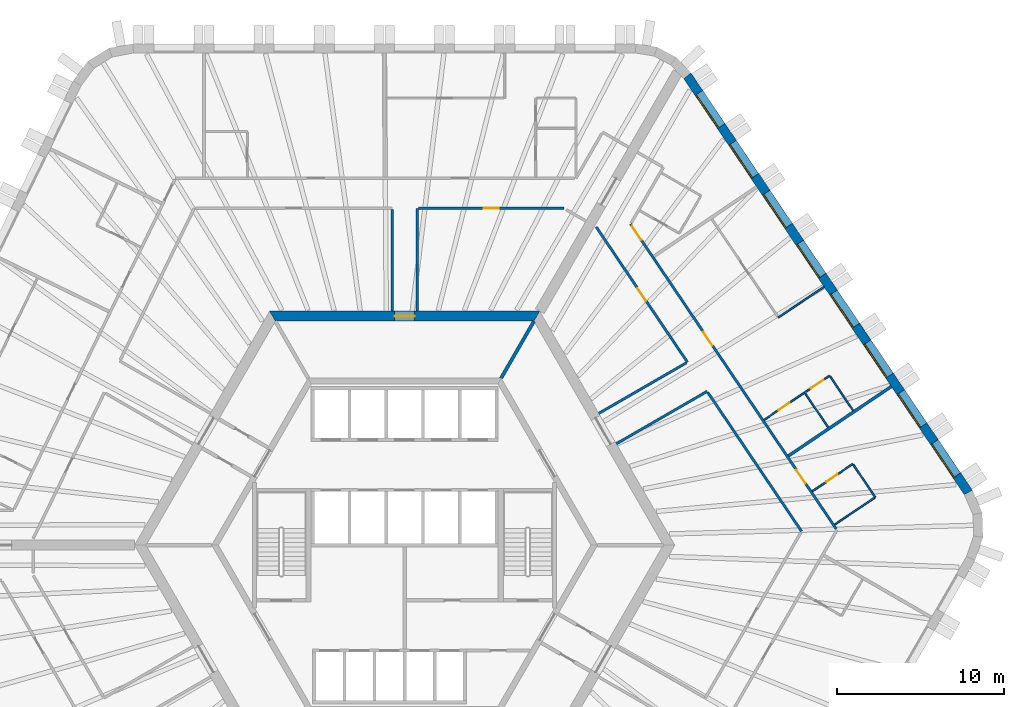
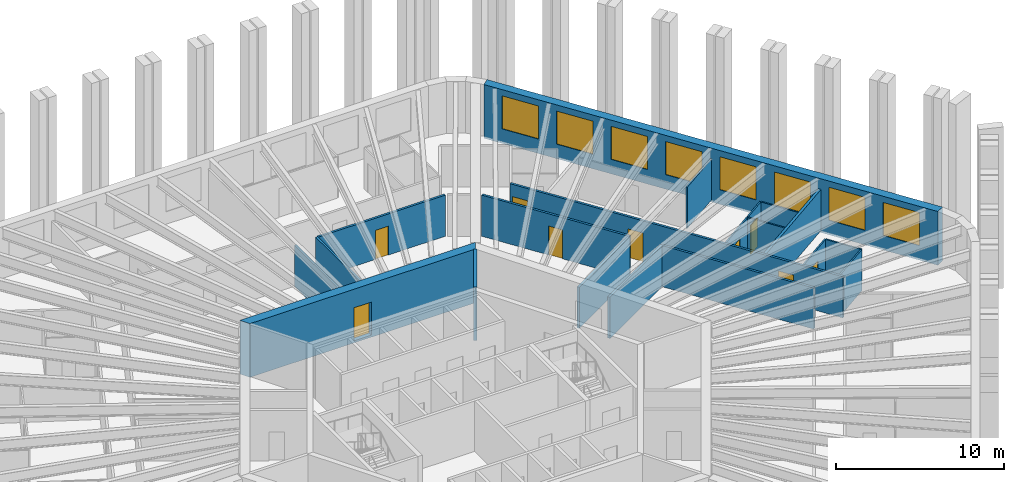
# One storey, part 9 of 13: 20 walls, 9 doors, 8 windows, 17 openings.
"""IFC4 building model written with IfcOpenShell, lengths in metres."""

from ifc_helpers import new_model, si_unit, direction, frame, frame_2d, origin, place, context, subcontext, project, spatial, polyline, rectangle, outline, extrude, material, layer, layer_set, type_object, element, fill, save


model = new_model("IFC4")

# Units and contexts
model_context = context("Model", 3, precision=1e-05, world=origin(), true_north=direction((0.0, 1.0)))
body_context = subcontext(model_context, "Body", "Model", "MODEL_VIEW")
ifc_project = project(units=[si_unit("LENGTHUNIT", "METRE"), si_unit("AREAUNIT", "SQUARE_METRE"), si_unit("VOLUMEUNIT", "CUBIC_METRE"), si_unit("PLANEANGLEUNIT", "RADIAN"), si_unit("MASSUNIT", "GRAM", prefix="KILO")], contexts=[model_context])

# Site, building, storey
site_placement = place(None, origin())
site = spatial("IfcSite", under=ifc_project, at=site_placement, CompositionType="ELEMENT")
building_placement = place(site_placement, origin())
building = spatial("IfcBuilding", under=site, at=building_placement, Name="Tarnside Tower", CompositionType="ELEMENT")
storey_placement = place(building_placement, frame((0.0, 0.0, 68.699951171875)))
storey = spatial("IfcBuildingStorey", under=building, at=storey_placement, Name="L14", CompositionType="ELEMENT", Elevation=68.699951171875)

# Wall, opening, door
ifc_material_1 = material(Name="Gypsum board partition on steel studs", Category="steel")
ifc_layer_1 = layer(ifc_material_1, 0.10009765625)
ifc_layer_set_1 = layer_set([ifc_layer_1], Name="Bathroom wall 100")
wall_type_1 = type_object("IfcWallType", Name="Bathroom wall 100", PredefinedType="PARTITIONING", material=ifc_layer_set_1)
wall_1_placement = place(storey_placement, frame((24.3916015625, 3.22509765625, 0.0), z_axis=(0.0, 0.0, 1.0), x_axis=(0.829033436212, 0.559199035802, 0.0)))
wall_1 = element("IfcWall", 1, at=wall_1_placement, inside=storey, type_object=wall_type_1, Name="Bathroom wall 04137", PredefinedType="PARTITIONING", context=body_context, shape_type="SweptSolid", body=[
    extrude(rectangle(XDim=2.925048828125, YDim=0.10009765625, at=frame_2d((1.46240234375, 0.0))), origin(), (0.0, 0.0, 1.0), 2.98779296875),
])
opening_1_placement = place(wall_1_placement, frame((1.02490234375, 0.0, 0.0)))
opening_1 = element("IfcOpeningElement", 2, at=opening_1_placement, cuts=wall_1, Name="Opening D-B1", PredefinedType="OPENING", context=body_context, shape_type="SweptSolid", body=[
    extrude(rectangle(XDim=0.800048828125, YDim=2.10009765625, at=frame_2d((0.39990234375, 1.050048828125))), frame((0.0, 0.06005859375, 0.0), z_axis=(0.0, -1.0, 0.0), x_axis=(1.0, 0.0, 0.0)), (0.0, 0.0, 1.0), 0.1201171875),
])
ifc_material_2 = material(Name="Timber door leaf", Category="wood")
door_type_1 = type_object("IfcDoorType", Name="Bathroom door 800", OperationType="NOTDEFINED", PredefinedType="DOOR", material=ifc_material_2)
door_1_placement = place(opening_1_placement, origin())
door_1 = element("IfcDoor", 3, at=door_1_placement, inside=storey, type_object=door_type_1, Name="Bathroom door 04034", OperationType="SINGLE_SWING_RIGHT", OverallHeight=2.10009765625, OverallWidth=0.800048828125, PredefinedType="DOOR", context=body_context, shape_type="SweptSolid", body=[
    extrude(rectangle(XDim=0.800048828125, YDim=2.10009765625, at=frame_2d((0.39990234375, 1.050048828125))), frame((0.0, 0.02490234375, 0.0), z_axis=(0.0, -1.0, 0.0), x_axis=(1.0, 0.0, 0.0)), (0.0, 0.0, 1.0), 0.050048828125),
])
fill(opening_1, door_1)

# Walls
wall_2_placement = place(storey_placement, frame((26.844482421875, 4.8193359375, 0.0), z_axis=(0.0, 0.0, 1.0), x_axis=(0.559223037199, -0.829017246302, 0.0)))
element("IfcWall", 4, at=wall_2_placement, inside=storey, type_object=wall_type_1, Name="Bathroom wall 04138", PredefinedType="PARTITIONING", context=body_context, shape_type="SweptSolid", body=[
    extrude(rectangle(XDim=2.35009765625, YDim=0.10009765625, at=frame_2d((1.175048828125, 0.0))), origin(), (0.0, 0.0, 1.0), 2.98779296875),
])
wall_3_placement = place(storey_placement, frame((28.1171875, 2.843017578125, 0.0), z_axis=(0.0, 0.0, 1.0), x_axis=(-0.82904649496, -0.559179675234, 0.0)))
element("IfcWall", 5, at=wall_3_placement, inside=storey, type_object=wall_type_1, Name="Bathroom wall 04139", PredefinedType="PARTITIONING", context=body_context, shape_type="SweptSolid", body=[
    extrude(rectangle(XDim=2.875, YDim=0.10009765625, at=frame_2d((1.4375, 0.0))), origin(), (0.0, 0.0, 1.0), 2.98779296875),
])

# Wall, opening, door
wall_4_placement = place(storey_placement, frame((21.509033203125, 7.49853515625, 0.0), z_axis=(0.0, 0.0, 1.0), x_axis=(0.829033436212, 0.559199035802, 0.0)))
wall_4 = element("IfcWall", 6, at=wall_4_placement, inside=storey, type_object=wall_type_1, Name="Bathroom wall 04143", PredefinedType="PARTITIONING", context=body_context, shape_type="SweptSolid", body=[
    extrude(rectangle(XDim=2.925048828125, YDim=0.10009765625, at=frame_2d((1.46240234375, 0.0))), origin(), (0.0, 0.0, 1.0), 2.98779296875),
])
opening_2_placement = place(wall_4_placement, frame((1.02490234375, 0.0, 0.0)))
opening_2 = element("IfcOpeningElement", 7, at=opening_2_placement, cuts=wall_4, Name="Opening D-B1", PredefinedType="OPENING", context=body_context, shape_type="SweptSolid", body=[
    extrude(rectangle(XDim=0.800048828125, YDim=2.10009765625, at=frame_2d((0.39990234375, 1.050048828125))), frame((0.0, 0.06005859375, 0.0), z_axis=(0.0, -1.0, 0.0), x_axis=(1.0, 0.0, 0.0)), (0.0, 0.0, 1.0), 0.1201171875),
])
door_2_placement = place(opening_2_placement, origin())
door_2 = element("IfcDoor", 8, at=door_2_placement, inside=storey, type_object=door_type_1, Name="Bathroom door 04036", OperationType="SINGLE_SWING_RIGHT", OverallHeight=2.10009765625, OverallWidth=0.800048828125, PredefinedType="DOOR", context=body_context, shape_type="SweptSolid", body=[
    extrude(rectangle(XDim=0.800048828125, YDim=2.10009765625, at=frame_2d((0.39990234375, 1.050048828125))), frame((0.0, 0.02490234375, 0.0), z_axis=(0.0, -1.0, 0.0), x_axis=(1.0, 0.0, 0.0)), (0.0, 0.0, 1.0), 0.050048828125),
])
fill(opening_2, door_2)

# Wall
wall_5_placement = place(storey_placement, frame((25.337646484375, 7.053466796875, 0.0), z_axis=(0.0, 0.0, 1.0), x_axis=(-0.559249542518, 0.82899936622, 0.0)))
element("IfcWall", 9, at=wall_5_placement, inside=storey, type_object=wall_type_1, Name="Bathroom wall 04149", PredefinedType="PARTITIONING", context=body_context, shape_type="SweptSolid", body=[
    extrude(rectangle(XDim=2.4599609375, YDim=0.10009765625, at=frame_2d((1.22998046875, 0.0))), origin(), (0.0, 0.0, 1.0), 2.98779296875),
])

# Wall, opening, door
ifc_material_3 = material(Name="Concrete C80/95", Category="concrete")
ifc_layer_2 = layer(ifc_material_3, 0.60009765625)
ifc_layer_set_2 = layer_set([ifc_layer_2], Name="Core wall Z1 600 C80/95")
wall_type_2 = type_object("IfcWallType", Name="Core wall Z1 600 C80/95", PredefinedType="SHEAR", material=ifc_layer_set_2)
wall_6_placement = place(storey_placement, frame((7.90966796875, 13.699951171875, -0.14990234375), z_axis=(0.0, 0.0, 1.0), x_axis=(-1.0, 0.0, 0.0)))
wall_6 = element("IfcWall", 10, at=wall_6_placement, inside=storey, type_object=wall_type_2, Name="L14 core wall face 1", PredefinedType="SHEAR", context=body_context, shape_type="SweptSolid", body=[
    extrude(outline(polyline([(-0.17333984375, -0.300048828125), (15.99267578125, -0.300048828125), (15.64599609375, 0.300048828125), (0.17333984375, 0.300048828125), (-0.17333984375, -0.300048828125)])), origin(), (0.0, 0.0, 1.0), 3.89990234375),
])
opening_3_placement = place(wall_6_placement, frame((7.309814453125, 0.0, 0.14990234375)))
opening_3 = element("IfcOpeningElement", 11, at=opening_3_placement, cuts=wall_6, Name="Opening CD-RSR", PredefinedType="OPENING", context=body_context, shape_type="SweptSolid", body=[
    extrude(rectangle(XDim=1.199951171875, YDim=2.39990234375, at=frame_2d((0.60009765625, 1.199951171875))), frame((0.0, 0.31005859375, 0.0), z_axis=(0.0, -1.0, 0.0), x_axis=(1.0, 0.0, 0.0)), (0.0, 0.0, 1.0), 0.6201171875),
])
ifc_material_4 = material(Name="Steel fire door", Category="steel")
door_type_2 = type_object("IfcDoorType", Name="Riser door FD60 1200x2400", OperationType="NOTDEFINED", PredefinedType="DOOR", material=ifc_material_4)
door_3_placement = place(opening_3_placement, origin())
door_3 = element("IfcDoor", 12, at=door_3_placement, inside=storey, type_object=door_type_2, Name="L14 core door S5", OperationType="SINGLE_SWING_LEFT", OverallHeight=2.39990234375, OverallWidth=1.199951171875, PredefinedType="DOOR", context=body_context, shape_type="SweptSolid", body=[
    extrude(rectangle(XDim=1.199951171875, YDim=2.39990234375, at=frame_2d((0.60009765625, 1.199951171875))), frame((0.0, 0.02490234375, 0.0), z_axis=(0.0, -1.0, 0.0), x_axis=(1.0, 0.0, 0.0)), (0.0, 0.0, 1.0), 0.050048828125),
])
fill(opening_3, door_3)

# Walls
ifc_layer_3 = layer(ifc_material_1, 0.14990234375)
ifc_layer_set_3 = layer_set([ifc_layer_3], Name="Corridor wall 150 EI 60")
wall_type_3 = type_object("IfcWallType", Name="Corridor wall 150 EI 60", PredefinedType="PARTITIONING", material=ifc_layer_set_3)
wall_7_placement = place(storey_placement, frame((-0.75, 20.074951171875, 0.0), z_axis=(0.0, 0.0, 1.0), x_axis=(0.0, -1.0, 0.0)))
element("IfcWall", 13, at=wall_7_placement, inside=storey, type_object=wall_type_3, Name="Corridor wall 04019", PredefinedType="PARTITIONING", context=body_context, shape_type="SweptSolid", body=[
    extrude(rectangle(XDim=6.074951171875, YDim=0.14990234375, at=frame_2d((3.03759765625, 0.0))), origin(), (0.0, 0.0, 1.0), 2.98779296875),
])
wall_8_placement = place(storey_placement, frame((0.75, 14.0, 0.0), z_axis=(0.0, 0.0, 1.0), x_axis=(0.0, 1.0, 0.0)))
element("IfcWall", 14, at=wall_8_placement, inside=storey, type_object=wall_type_3, Name="Corridor wall 04020", PredefinedType="PARTITIONING", context=body_context, shape_type="SweptSolid", body=[
    extrude(rectangle(XDim=6.14990234375, YDim=0.14990234375, at=frame_2d((3.074951171875, 0.0))), origin(), (0.0, 0.0, 1.0), 2.98779296875),
])

# Wall, opening, door
wall_9_placement = place(storey_placement, frame((0.824951171875, 20.14990234375, 0.0), z_axis=(0.0, 0.0, 1.0), x_axis=(1.0, 0.0, 0.0)))
wall_9 = element("IfcWall", 15, at=wall_9_placement, inside=storey, type_object=wall_type_3, Name="Corridor wall 04021", PredefinedType="PARTITIONING", context=body_context, shape_type="SweptSolid", body=[
    extrude(rectangle(XDim=8.712158203125, YDim=0.14990234375, at=frame_2d((4.35595703125, 0.0))), origin(), (0.0, 0.0, 1.0), 2.98779296875),
])
opening_4_placement = place(wall_9_placement, frame((3.906005859375, 0.0, 0.0)))
opening_4 = element("IfcOpeningElement", 16, at=opening_4_placement, cuts=wall_9, Name="Opening D-S1", PredefinedType="OPENING", context=body_context, shape_type="SweptSolid", body=[
    extrude(rectangle(XDim=0.89990234375, YDim=2.10009765625, at=frame_2d((0.449951171875, 1.050048828125))), frame((0.0, 0.0849609375, 0.0), z_axis=(0.0, -1.0, 0.0), x_axis=(1.0, 0.0, 0.0)), (0.0, 0.0, 1.0), 0.169921875),
])
door_type_3 = type_object("IfcDoorType", Name="Service room door 900 FD30S", OperationType="NOTDEFINED", PredefinedType="DOOR", material=ifc_material_2)
door_4_placement = place(opening_4_placement, origin())
door_4 = element("IfcDoor", 17, at=door_4_placement, inside=storey, type_object=door_type_3, Name="Service door 04042", OperationType="SINGLE_SWING_RIGHT", OverallHeight=2.10009765625, OverallWidth=0.89990234375, PredefinedType="DOOR", context=body_context, shape_type="SweptSolid", body=[
    extrude(rectangle(XDim=0.89990234375, YDim=2.10009765625, at=frame_2d((0.449951171875, 1.050048828125))), frame((0.0, 0.02490234375, 0.0), z_axis=(0.0, -1.0, 0.0), x_axis=(1.0, 0.0, 0.0)), (0.0, 0.0, 1.0), 0.050048828125),
])
fill(opening_4, door_4)

# Wall, openings, doors
wall_10_placement = place(storey_placement, frame((25.820556640625, 0.972412109375, 0.0), z_axis=(0.0, 0.0, 1.0), x_axis=(-0.559193816298, 0.829036956845, 0.0)))
wall_10 = element("IfcWall", 18, at=wall_10_placement, inside=storey, type_object=wall_type_3, Name="Corridor wall 04056", PredefinedType="PARTITIONING", context=body_context, shape_type="SweptSolid", body=[
    extrude(rectangle(XDim=22.001708984375, YDim=0.14990234375, at=frame_2d((11.0009765625, 0.0))), origin(), (0.0, 0.0, 1.0), 2.98779296875),
])
opening_5_placement = place(wall_10_placement, frame((3.26904296875, 0.0, 0.0)))
opening_5 = element("IfcOpeningElement", 19, at=opening_5_placement, cuts=wall_10, Name="Opening D-E1", PredefinedType="OPENING", context=body_context, shape_type="SweptSolid", body=[
    extrude(rectangle(XDim=1.0, YDim=2.10009765625, at=frame_2d((0.5, 1.050048828125))), frame((0.0, 0.0849609375, 0.0), z_axis=(0.0, -1.0, 0.0), x_axis=(1.0, 0.0, 0.0)), (0.0, 0.0, 1.0), 0.169921875),
])
opening_6_placement = place(wall_10_placement, frame((13.221435546875, 0.0, 0.0)))
opening_6 = element("IfcOpeningElement", 20, at=opening_6_placement, cuts=wall_10, Name="Opening D-E1", PredefinedType="OPENING", context=body_context, shape_type="SweptSolid", body=[
    extrude(rectangle(XDim=1.0, YDim=2.10009765625, at=frame_2d((0.5, 1.050048828125))), frame((0.0, 0.0849609375, 0.0), z_axis=(0.0, -1.0, 0.0), x_axis=(1.0, 0.0, 0.0)), (0.0, 0.0, 1.0), 0.169921875),
])
opening_7_placement = place(wall_10_placement, frame((20.851806640625, 0.0, 0.0)))
opening_7 = element("IfcOpeningElement", 21, at=opening_7_placement, cuts=wall_10, Name="Opening D-E1", PredefinedType="OPENING", context=body_context, shape_type="SweptSolid", body=[
    extrude(rectangle(XDim=1.0, YDim=2.10009765625, at=frame_2d((0.5, 1.050048828125))), frame((0.0, 0.0849609375, 0.0), z_axis=(0.0, -1.0, 0.0), x_axis=(1.0, 0.0, 0.0)), (0.0, 0.0, 1.0), 0.169921875),
])
door_type_4 = type_object("IfcDoorType", Name="Unit entrance door 1000 FD30S", OperationType="NOTDEFINED", PredefinedType="DOOR", material=ifc_material_2)
door_5_placement = place(opening_5_placement, origin())
door_5 = element("IfcDoor", 22, at=door_5_placement, inside=storey, type_object=door_type_4, Name="Unit door 04033", OperationType="SINGLE_SWING_LEFT", OverallHeight=2.10009765625, OverallWidth=1.0, PredefinedType="DOOR", context=body_context, shape_type="SweptSolid", body=[
    extrude(rectangle(XDim=1.0, YDim=2.10009765625, at=frame_2d((0.5, 1.050048828125))), frame((0.0, 0.02490234375, 0.0), z_axis=(0.0, -1.0, 0.0), x_axis=(1.0, 0.0, 0.0)), (0.0, 0.0, 1.0), 0.050048828125),
])
fill(opening_5, door_5)
door_6_placement = place(opening_6_placement, origin())
door_6 = element("IfcDoor", 23, at=door_6_placement, inside=storey, type_object=door_type_4, Name="Unit door 04035", OperationType="SINGLE_SWING_LEFT", OverallHeight=2.10009765625, OverallWidth=1.0, PredefinedType="DOOR", context=body_context, shape_type="SweptSolid", body=[
    extrude(rectangle(XDim=1.0, YDim=2.10009765625, at=frame_2d((0.5, 1.050048828125))), frame((0.0, 0.02490234375, 0.0), z_axis=(0.0, -1.0, 0.0), x_axis=(1.0, 0.0, 0.0)), (0.0, 0.0, 1.0), 0.050048828125),
])
fill(opening_6, door_6)
door_7_placement = place(opening_7_placement, origin())
door_7 = element("IfcDoor", 24, at=door_7_placement, inside=storey, type_object=door_type_4, Name="Unit door 04039", OperationType="SINGLE_SWING_LEFT", OverallHeight=2.10009765625, OverallWidth=1.0, PredefinedType="DOOR", context=body_context, shape_type="SweptSolid", body=[
    extrude(rectangle(XDim=1.0, YDim=2.10009765625, at=frame_2d((0.5, 1.050048828125))), frame((0.0, 0.02490234375, 0.0), z_axis=(0.0, -1.0, 0.0), x_axis=(1.0, 0.0, 0.0)), (0.0, 0.0, 1.0), 0.050048828125),
])
fill(opening_7, door_7)

# Walls
wall_11_placement = place(storey_placement, frame((12.663818359375, 6.065673828125, 0.0), z_axis=(0.0, 0.0, 1.0), x_axis=(0.866036561919, 0.499980673046, 0.0)))
element("IfcWall", 25, at=wall_11_placement, inside=storey, type_object=wall_type_3, Name="Corridor wall 04067", PredefinedType="PARTITIONING", context=body_context, shape_type="SweptSolid", body=[
    extrude(rectangle(XDim=6.274658203125, YDim=0.14990234375, at=frame_2d((3.13720703125, 0.0))), origin(), (0.0, 0.0, 1.0), 2.98779296875),
])
wall_12_placement = place(storey_placement, frame((18.139892578125, 9.140625, 0.0), z_axis=(0.0, 0.0, 1.0), x_axis=(0.55918799196, -0.829040885389, 0.0)))
element("IfcWall", 26, at=wall_12_placement, inside=storey, type_object=wall_type_3, Name="Corridor wall 04068", PredefinedType="PARTITIONING", context=body_context, shape_type="SweptSolid", body=[
    extrude(rectangle(XDim=10.025146484375, YDim=0.14990234375, at=frame_2d((5.0126953125, 0.0))), origin(), (0.0, 0.0, 1.0), 2.98779296875),
])

# Wall, opening, door
wall_13_placement = place(storey_placement, frame((11.464599609375, 19.037109375, 0.0), z_axis=(0.0, 0.0, 1.0), x_axis=(0.559196064773, -0.829035440221, 0.0)))
wall_13 = element("IfcWall", 27, at=wall_13_placement, inside=storey, type_object=wall_type_3, Name="Corridor wall 04074", PredefinedType="PARTITIONING", context=body_context, shape_type="SweptSolid", body=[
    extrude(rectangle(XDim=9.757080078125, YDim=0.14990234375, at=frame_2d((4.87841796875, 0.0))), origin(), (0.0, 0.0, 1.0), 2.98779296875),
])
opening_8_placement = place(wall_13_placement, frame((4.428466796875, 0.0, 0.0)))
opening_8 = element("IfcOpeningElement", 28, at=opening_8_placement, cuts=wall_13, Name="Opening D-S1", PredefinedType="OPENING", context=body_context, shape_type="SweptSolid", body=[
    extrude(rectangle(XDim=0.89990234375, YDim=2.10009765625, at=frame_2d((0.449951171875, 1.050048828125))), frame((0.0, 0.0849609375, 0.0), z_axis=(0.0, -1.0, 0.0), x_axis=(1.0, 0.0, 0.0)), (0.0, 0.0, 1.0), 0.169921875),
])
door_8_placement = place(opening_8_placement, origin())
door_8 = element("IfcDoor", 29, at=door_8_placement, inside=storey, type_object=door_type_3, Name="Service door 04049", OperationType="SINGLE_SWING_RIGHT", OverallHeight=2.10009765625, OverallWidth=0.89990234375, PredefinedType="DOOR", context=body_context, shape_type="SweptSolid", body=[
    extrude(rectangle(XDim=0.89990234375, YDim=2.10009765625, at=frame_2d((0.449951171875, 1.050048828125))), frame((0.0, 0.02490234375, 0.0), z_axis=(0.0, -1.0, 0.0), x_axis=(1.0, 0.0, 0.0)), (0.0, 0.0, 1.0), 0.050048828125),
])
fill(opening_8, door_8)

# Walls
wall_14_placement = place(storey_placement, frame((16.85546875, 10.91064453125, 0.0), z_axis=(0.0, 0.0, 1.0), x_axis=(-0.866020343444, -0.500008764664, 0.0)))
element("IfcWall", 30, at=wall_14_placement, inside=storey, type_object=wall_type_3, Name="Corridor wall 04075", PredefinedType="PARTITIONING", context=body_context, shape_type="SweptSolid", body=[
    extrude(rectangle(XDim=6.052734375, YDim=0.14990234375, at=frame_2d((3.0263671875, 0.0))), origin(), (0.0, 0.0, 1.0), 2.98779296875),
])
ifc_layer_4 = layer(ifc_material_1, 0.179931640625)
ifc_layer_set_4 = layer_set([ifc_layer_4], Name="Demising wall 180 EI 60")
wall_type_4 = type_object("IfcWallType", Name="Demising wall 180 EI 60", PredefinedType="PARTITIONING", material=ifc_layer_set_4)
wall_15_placement = place(storey_placement, frame((29.11865234375, 9.4951171875, 0.0), z_axis=(0.0, 0.0, 1.0), x_axis=(-0.829038452737, -0.559191598545, 0.0)))
element("IfcWall", 31, at=wall_15_placement, inside=storey, type_object=wall_type_4, Name="Demising wall 04140", PredefinedType="PARTITIONING", context=body_context, shape_type="SweptSolid", body=[
    extrude(rectangle(XDim=7.42529296875, YDim=0.179931640625, at=frame_2d((3.712646484375, 0.0))), origin(), (0.0, 0.0, 1.0), 2.98779296875),
])
ifc_material_5 = material(Name="Concrete C40/50", Category="concrete")
ifc_layer_5 = layer(ifc_material_5, 0.199951171875)
ifc_layer_set_5 = layer_set([ifc_layer_5], Name="Lift shaft wall 200 C40/50")
wall_type_5 = type_object("IfcWallType", Name="Lift shaft wall 200 C40/50", PredefinedType="SHEAR", material=ifc_layer_set_5)
wall_16_placement = place(storey_placement, frame((5.7734375, 10.0, -0.14990234375), z_axis=(0.0, 0.0, 1.0), x_axis=(0.500038251005, 0.86600331843, 0.0)))
element("IfcWall", 32, at=wall_16_placement, inside=storey, type_object=wall_type_5, Name="L14 core partition AR60", PredefinedType="SHEAR", context=body_context, shape_type="SweptSolid", body=[
    extrude(rectangle(XDim=3.926025390625, YDim=0.199951171875, at=frame_2d((1.962890625, 0.0))), origin(), (0.0, 0.0, 1.0), 3.89990234375),
])

# Wall, opening, door
ifc_layer_6 = layer(ifc_material_1, 0.10009765625)
ifc_layer_set_6 = layer_set([ifc_layer_6], Name="Partition 100")
wall_type_6 = type_object("IfcWallType", Name="Partition 100", PredefinedType="PARTITIONING", material=ifc_layer_set_6)
wall_17_placement = place(storey_placement, frame((23.975341796875, 9.162109375, 0.0), z_axis=(0.0, 0.0, 1.0), x_axis=(0.829011970545, 0.559230858138, 0.0)))
wall_17 = element("IfcWall", 33, at=wall_17_placement, inside=storey, type_object=wall_type_6, Name="Partition wall 04144", PredefinedType="PARTITIONING", context=body_context, shape_type="SweptSolid", body=[
    extrude(rectangle(XDim=1.750244140625, YDim=0.10009765625, at=frame_2d((0.875, 0.0))), origin(), (0.0, 0.0, 1.0), 2.98779296875),
])
opening_9_placement = place(wall_17_placement, frame((0.39990234375, 0.0, 0.0)))
opening_9 = element("IfcOpeningElement", 34, at=opening_9_placement, cuts=wall_17, Name="Opening D-I1", PredefinedType="OPENING", context=body_context, shape_type="SweptSolid", body=[
    extrude(rectangle(XDim=0.89990234375, YDim=2.10009765625, at=frame_2d((0.449951171875, 1.050048828125))), frame((0.0, 0.06005859375, 0.0), z_axis=(0.0, -1.0, 0.0), x_axis=(1.0, 0.0, 0.0)), (0.0, 0.0, 1.0), 0.1201171875),
])
door_type_5 = type_object("IfcDoorType", Name="Internal door 900", OperationType="NOTDEFINED", PredefinedType="DOOR", material=ifc_material_2)
door_9_placement = place(opening_9_placement, origin())
door_9 = element("IfcDoor", 35, at=door_9_placement, inside=storey, type_object=door_type_5, Name="Internal door 04037", OperationType="SINGLE_SWING_LEFT", OverallHeight=2.10009765625, OverallWidth=0.89990234375, PredefinedType="DOOR", context=body_context, shape_type="SweptSolid", body=[
    extrude(rectangle(XDim=0.89990234375, YDim=2.10009765625, at=frame_2d((0.449951171875, 1.050048828125))), frame((0.0, 0.02490234375, 0.0), z_axis=(0.0, -1.0, 0.0), x_axis=(1.0, 0.0, 0.0)), (0.0, 0.0, 1.0), 0.050048828125),
])
fill(opening_9, door_9)

# Walls
wall_18_placement = place(storey_placement, frame((25.454345703125, 10.099365234375, 0.0), z_axis=(0.0, 0.0, 1.0), x_axis=(0.559135322609, -0.829076408427, 0.0)))
element("IfcWall", 36, at=wall_18_placement, inside=storey, type_object=wall_type_6, Name="Partition wall 04145", PredefinedType="PARTITIONING", context=body_context, shape_type="SweptSolid", body=[
    extrude(rectangle(XDim=2.4599609375, YDim=0.10009765625, at=frame_2d((1.22998046875, 0.0))), origin(), (0.0, 0.0, 1.0), 2.98779296875),
])
wall_19_placement = place(storey_placement, frame((25.09228515625, 15.464111328125, 0.0), z_axis=(0.0, 0.0, 1.0), x_axis=(-0.829033042551, -0.55919961942, 0.0)))
element("IfcWall", 37, at=wall_19_placement, inside=storey, type_object=wall_type_6, Name="Partition wall 04146", PredefinedType="PARTITIONING", context=body_context, shape_type="SweptSolid", body=[
    extrude(rectangle(XDim=3.2998046875, YDim=0.10009765625, at=frame_2d((1.64990234375, 0.0))), origin(), (0.0, 0.0, 1.0), 2.98779296875),
])

# Wall, openings, windows
ifc_material_6 = material(Name="Facing brick", Category="masonry")
ifc_layer_7 = layer(ifc_material_6, 0.10205078125)
ifc_material_7 = material(Name="Concrete C60/75 precast", Category="concrete")
ifc_layer_8 = layer(ifc_material_7, 0.347900390625)
ifc_material_8 = material(Name="Mineral wool insulation")
ifc_layer_9 = layer(ifc_material_8, 0.10009765625)
ifc_layer_set_7 = layer_set([ifc_layer_7, ifc_layer_8, ifc_layer_9], Name="Tube wall 550 brick faced")
wall_type_7 = type_object("IfcWallType", Name="Tube wall 550 brick faced", PredefinedType="SOLIDWALL", material=ifc_layer_set_7)
wall_20_placement = place(storey_placement, frame((33.72802734375, 3.153076171875, -0.14990234375), z_axis=(0.0, 0.0, 1.0), x_axis=(-0.559192411416, 0.82903790445, 0.0)))
wall_20 = element("IfcWall", 38, at=wall_20_placement, inside=storey, type_object=wall_type_7, Name="Tube wall L14 F6 flush 20", PredefinedType="SOLIDWALL", context=body_context, shape_type="SweptSolid", body=[
    extrude(outline(polyline([(-0.025634765625, -0.27490234375), (30.09326171875, -0.27490234375), (30.04833984375, 0.27490234375), (0.025634765625, 0.27490234375), (-0.025634765625, -0.27490234375)])), origin(), (0.0, 0.0, 1.0), 3.89990234375),
])
opening_10_placement = place(wall_20_placement, frame((1.235595703125, 0.0, 1.050048828125)))
opening_10 = element("IfcOpeningElement", 39, at=opening_10_placement, cuts=wall_20, Name="Opening WH", PredefinedType="OPENING", context=body_context, shape_type="SweptSolid", body=[
    extrude(rectangle(XDim=2.39990234375, YDim=2.39990234375, at=frame_2d((1.199951171875, 1.199951171875))), frame((0.0, 0.28515625, 0.0), z_axis=(0.0, -1.0, 0.0), x_axis=(1.0, 0.0, 0.0)), (0.0, 0.0, 1.0), 0.570068359375),
])
opening_11_placement = place(wall_20_placement, frame((4.83544921875, 0.0, 1.050048828125)))
opening_11 = element("IfcOpeningElement", 40, at=opening_11_placement, cuts=wall_20, Name="Opening WH", PredefinedType="OPENING", context=body_context, shape_type="SweptSolid", body=[
    extrude(rectangle(XDim=2.39990234375, YDim=2.39990234375, at=frame_2d((1.199951171875, 1.199951171875))), frame((0.0, 0.28515625, 0.0), z_axis=(0.0, -1.0, 0.0), x_axis=(1.0, 0.0, 0.0)), (0.0, 0.0, 1.0), 0.570068359375),
])
opening_12_placement = place(wall_20_placement, frame((8.435546875, 0.0, 1.050048828125)))
opening_12 = element("IfcOpeningElement", 41, at=opening_12_placement, cuts=wall_20, Name="Opening WH", PredefinedType="OPENING", context=body_context, shape_type="SweptSolid", body=[
    extrude(rectangle(XDim=2.39990234375, YDim=2.39990234375, at=frame_2d((1.199951171875, 1.199951171875))), frame((0.0, 0.28515625, 0.0), z_axis=(0.0, -1.0, 0.0), x_axis=(1.0, 0.0, 0.0)), (0.0, 0.0, 1.0), 0.570068359375),
])
opening_13_placement = place(wall_20_placement, frame((12.035400390625, 0.0, 1.050048828125)))
opening_13 = element("IfcOpeningElement", 42, at=opening_13_placement, cuts=wall_20, Name="Opening WH", PredefinedType="OPENING", context=body_context, shape_type="SweptSolid", body=[
    extrude(rectangle(XDim=2.39990234375, YDim=2.39990234375, at=frame_2d((1.199951171875, 1.199951171875))), frame((0.0, 0.28515625, 0.0), z_axis=(0.0, -1.0, 0.0), x_axis=(1.0, 0.0, 0.0)), (0.0, 0.0, 1.0), 0.570068359375),
])
opening_14_placement = place(wall_20_placement, frame((15.635498046875, 0.0, 1.050048828125)))
opening_14 = element("IfcOpeningElement", 43, at=opening_14_placement, cuts=wall_20, Name="Opening WH", PredefinedType="OPENING", context=body_context, shape_type="SweptSolid", body=[
    extrude(rectangle(XDim=2.39990234375, YDim=2.39990234375, at=frame_2d((1.199951171875, 1.199951171875))), frame((0.0, 0.28515625, 0.0), z_axis=(0.0, -1.0, 0.0), x_axis=(1.0, 0.0, 0.0)), (0.0, 0.0, 1.0), 0.570068359375),
])
opening_15_placement = place(wall_20_placement, frame((19.235595703125, 0.0, 1.050048828125)))
opening_15 = element("IfcOpeningElement", 44, at=opening_15_placement, cuts=wall_20, Name="Opening WH", PredefinedType="OPENING", context=body_context, shape_type="SweptSolid", body=[
    extrude(rectangle(XDim=2.39990234375, YDim=2.39990234375, at=frame_2d((1.199951171875, 1.199951171875))), frame((0.0, 0.28515625, 0.0), z_axis=(0.0, -1.0, 0.0), x_axis=(1.0, 0.0, 0.0)), (0.0, 0.0, 1.0), 0.570068359375),
])
opening_16_placement = place(wall_20_placement, frame((22.83544921875, 0.0, 1.050048828125)))
opening_16 = element("IfcOpeningElement", 45, at=opening_16_placement, cuts=wall_20, Name="Opening WH", PredefinedType="OPENING", context=body_context, shape_type="SweptSolid", body=[
    extrude(rectangle(XDim=2.39990234375, YDim=2.39990234375, at=frame_2d((1.199951171875, 1.199951171875))), frame((0.0, 0.28515625, 0.0), z_axis=(0.0, -1.0, 0.0), x_axis=(1.0, 0.0, 0.0)), (0.0, 0.0, 1.0), 0.570068359375),
])
opening_17_placement = place(wall_20_placement, frame((26.435546875, 0.0, 1.050048828125)))
opening_17 = element("IfcOpeningElement", 46, at=opening_17_placement, cuts=wall_20, Name="Opening WH", PredefinedType="OPENING", context=body_context, shape_type="SweptSolid", body=[
    extrude(rectangle(XDim=2.39990234375, YDim=2.39990234375, at=frame_2d((1.199951171875, 1.199951171875))), frame((0.0, 0.28515625, 0.0), z_axis=(0.0, -1.0, 0.0), x_axis=(1.0, 0.0, 0.0)), (0.0, 0.0, 1.0), 0.570068359375),
])
ifc_material_9 = material(Name="Aluminium-framed double glazing", Category="aluminium")
window_type = type_object("IfcWindowType", Name="Hotel window 2400 x 2400", PartitioningType="DOUBLE_PANEL_VERTICAL", PredefinedType="WINDOW", material=ifc_material_9)
window_1_placement = place(opening_10_placement, frame((0.0, 0.205078125, 0.0)))
window_1 = element("IfcWindow", 47, at=window_1_placement, inside=storey, type_object=window_type, Name="E.WN.L14.F6.00", OverallHeight=2.39990234375, OverallWidth=2.39990234375, PartitioningType="DOUBLE_PANEL_VERTICAL", PredefinedType="WINDOW", context=body_context, shape_type="SweptSolid", body=[
    extrude(rectangle(XDim=2.39990234375, YDim=2.39990234375, at=frame_2d((1.199951171875, 1.199951171875))), frame((0.0, 0.030029296875, 0.0), z_axis=(0.0, -1.0, 0.0), x_axis=(1.0, 0.0, 0.0)), (0.0, 0.0, 1.0), 0.06005859375),
])
fill(opening_10, window_1)
window_2_placement = place(opening_11_placement, frame((0.0, 0.205078125, 0.0)))
window_2 = element("IfcWindow", 48, at=window_2_placement, inside=storey, type_object=window_type, Name="E.WN.L14.F6.01", OverallHeight=2.39990234375, OverallWidth=2.39990234375, PartitioningType="DOUBLE_PANEL_VERTICAL", PredefinedType="WINDOW", context=body_context, shape_type="SweptSolid", body=[
    extrude(rectangle(XDim=2.39990234375, YDim=2.39990234375, at=frame_2d((1.199951171875, 1.199951171875))), frame((0.0, 0.030029296875, 0.0), z_axis=(0.0, -1.0, 0.0), x_axis=(1.0, 0.0, 0.0)), (0.0, 0.0, 1.0), 0.06005859375),
])
fill(opening_11, window_2)
window_3_placement = place(opening_12_placement, frame((0.0, 0.205078125, 0.0)))
window_3 = element("IfcWindow", 49, at=window_3_placement, inside=storey, type_object=window_type, Name="E.WN.L14.F6.02", OverallHeight=2.39990234375, OverallWidth=2.39990234375, PartitioningType="DOUBLE_PANEL_VERTICAL", PredefinedType="WINDOW", context=body_context, shape_type="SweptSolid", body=[
    extrude(rectangle(XDim=2.39990234375, YDim=2.39990234375, at=frame_2d((1.199951171875, 1.199951171875))), frame((0.0, 0.030029296875, 0.0), z_axis=(0.0, -1.0, 0.0), x_axis=(1.0, 0.0, 0.0)), (0.0, 0.0, 1.0), 0.06005859375),
])
fill(opening_12, window_3)
window_4_placement = place(opening_13_placement, frame((0.0, 0.205078125, 0.0)))
window_4 = element("IfcWindow", 50, at=window_4_placement, inside=storey, type_object=window_type, Name="E.WN.L14.F6.03", OverallHeight=2.39990234375, OverallWidth=2.39990234375, PartitioningType="DOUBLE_PANEL_VERTICAL", PredefinedType="WINDOW", context=body_context, shape_type="SweptSolid", body=[
    extrude(rectangle(XDim=2.39990234375, YDim=2.39990234375, at=frame_2d((1.199951171875, 1.199951171875))), frame((0.0, 0.030029296875, 0.0), z_axis=(0.0, -1.0, 0.0), x_axis=(1.0, 0.0, 0.0)), (0.0, 0.0, 1.0), 0.06005859375),
])
fill(opening_13, window_4)
window_5_placement = place(opening_14_placement, frame((0.0, 0.205078125, 0.0)))
window_5 = element("IfcWindow", 51, at=window_5_placement, inside=storey, type_object=window_type, Name="E.WN.L14.F6.04", OverallHeight=2.39990234375, OverallWidth=2.39990234375, PartitioningType="DOUBLE_PANEL_VERTICAL", PredefinedType="WINDOW", context=body_context, shape_type="SweptSolid", body=[
    extrude(rectangle(XDim=2.39990234375, YDim=2.39990234375, at=frame_2d((1.199951171875, 1.199951171875))), frame((0.0, 0.030029296875, 0.0), z_axis=(0.0, -1.0, 0.0), x_axis=(1.0, 0.0, 0.0)), (0.0, 0.0, 1.0), 0.06005859375),
])
fill(opening_14, window_5)
window_6_placement = place(opening_15_placement, frame((0.0, 0.205078125, 0.0)))
window_6 = element("IfcWindow", 52, at=window_6_placement, inside=storey, type_object=window_type, Name="E.WN.L14.F6.05", OverallHeight=2.39990234375, OverallWidth=2.39990234375, PartitioningType="DOUBLE_PANEL_VERTICAL", PredefinedType="WINDOW", context=body_context, shape_type="SweptSolid", body=[
    extrude(rectangle(XDim=2.39990234375, YDim=2.39990234375, at=frame_2d((1.199951171875, 1.199951171875))), frame((0.0, 0.030029296875, 0.0), z_axis=(0.0, -1.0, 0.0), x_axis=(1.0, 0.0, 0.0)), (0.0, 0.0, 1.0), 0.06005859375),
])
fill(opening_15, window_6)
window_7_placement = place(opening_16_placement, frame((0.0, 0.205078125, 0.0)))
window_7 = element("IfcWindow", 53, at=window_7_placement, inside=storey, type_object=window_type, Name="E.WN.L14.F6.06", OverallHeight=2.39990234375, OverallWidth=2.39990234375, PartitioningType="DOUBLE_PANEL_VERTICAL", PredefinedType="WINDOW", context=body_context, shape_type="SweptSolid", body=[
    extrude(rectangle(XDim=2.39990234375, YDim=2.39990234375, at=frame_2d((1.199951171875, 1.199951171875))), frame((0.0, 0.030029296875, 0.0), z_axis=(0.0, -1.0, 0.0), x_axis=(1.0, 0.0, 0.0)), (0.0, 0.0, 1.0), 0.06005859375),
])
fill(opening_16, window_7)
window_8_placement = place(opening_17_placement, frame((0.0, 0.205078125, 0.0)))
window_8 = element("IfcWindow", 54, at=window_8_placement, inside=storey, type_object=window_type, Name="E.WN.L14.F6.07", OverallHeight=2.39990234375, OverallWidth=2.39990234375, PartitioningType="DOUBLE_PANEL_VERTICAL", PredefinedType="WINDOW", context=body_context, shape_type="SweptSolid", body=[
    extrude(rectangle(XDim=2.39990234375, YDim=2.39990234375, at=frame_2d((1.199951171875, 1.199951171875))), frame((0.0, 0.030029296875, 0.0), z_axis=(0.0, -1.0, 0.0), x_axis=(1.0, 0.0, 0.0)), (0.0, 0.0, 1.0), 0.06005859375),
])
fill(opening_17, window_8)

save(model, "model.ifc")
